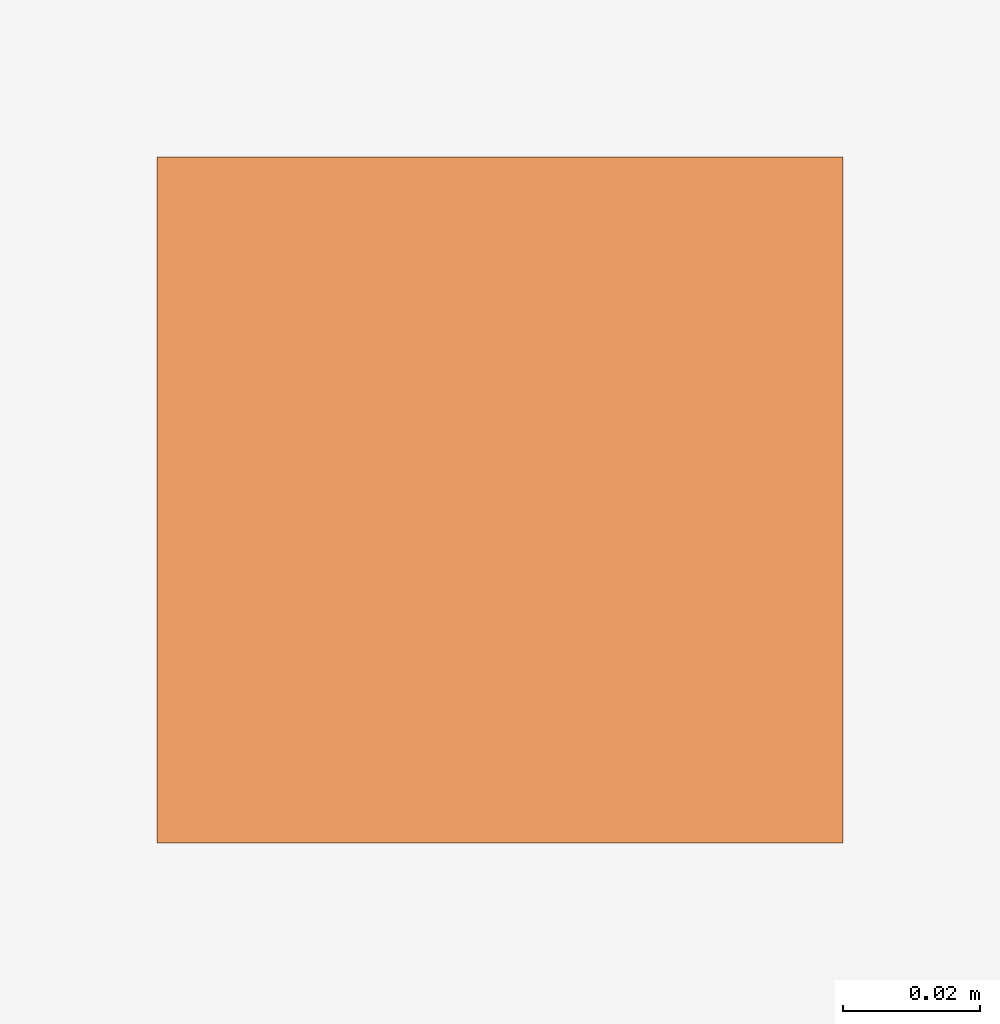
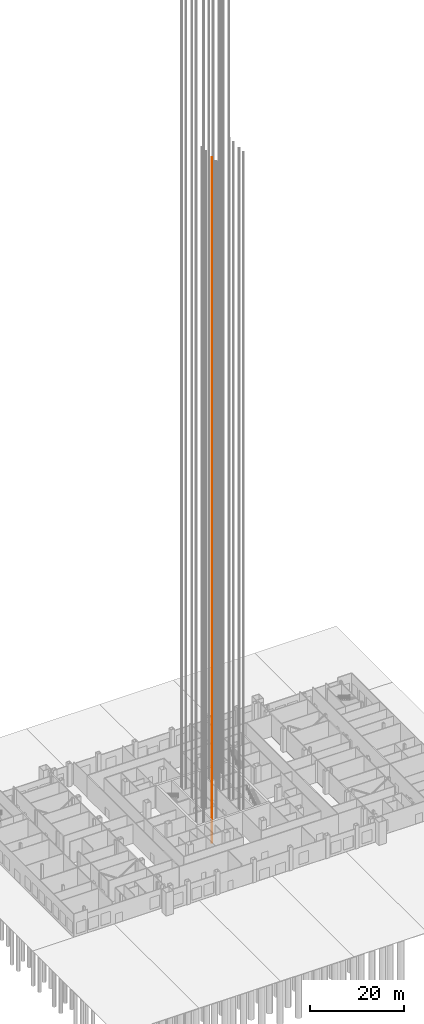
# One storey, part 20 of 36: 1 proxy.
"""IFC4 building model written with IfcOpenShell, lengths in metres."""

from ifc_helpers import new_model, si_unit, direction, frame, origin, origin_2d, place, context, subcontext, project, spatial, rectangle, extrude, material, type_object, element, save


model = new_model("IFC4")

# Units and contexts
model_context = context("Model", 3, precision=1e-05, world=origin(), true_north=direction((0.0, 1.0)))
body_context = subcontext(model_context, "Body", "Model", "MODEL_VIEW")
ifc_project = project(units=[si_unit("LENGTHUNIT", "METRE"), si_unit("AREAUNIT", "SQUARE_METRE"), si_unit("VOLUMEUNIT", "CUBIC_METRE"), si_unit("PLANEANGLEUNIT", "RADIAN"), si_unit("MASSUNIT", "GRAM", prefix="KILO")], contexts=[model_context])

# Site, building, storey
site_placement = place(None, origin())
site = spatial("IfcSite", under=ifc_project, at=site_placement, CompositionType="ELEMENT")
building_placement = place(site_placement, origin())
building = spatial("IfcBuilding", under=site, at=building_placement, Name="Malebo Sky Hospital", CompositionType="ELEMENT")
storey_placement = place(building_placement, origin())
storey = spatial("IfcBuildingStorey", under=building, at=storey_placement, Name="L00", CompositionType="ELEMENT", Elevation=0.0)

# Proxy
ifc_material = material(Name="Steel S355", Category="steel")
building_element_proxy_type = type_object("IfcBuildingElementProxyType", Name="LIFT GUIDE RAIL 100", PredefinedType="USERDEFINED", material=ifc_material)
proxy_placement = place(storey_placement, frame((56.64990234375, 56.47509765625, 0.0)))
element("IfcBuildingElementProxy", 1, at=proxy_placement, inside=storey, type_object=building_element_proxy_type, Name="Lift W1 guide rail 2", ObjectType="LIFT GUIDE RAIL", PredefinedType="USERDEFINED", context=body_context, shape_type="SweptSolid", body=[
    extrude(rectangle(XDim=0.10009765625, YDim=0.10009765625, at=origin_2d()), frame((0.0, 0.0, -2.25)), (0.0, 0.0, 1.0), 177.75),
])

save(model, "model.ifc")
